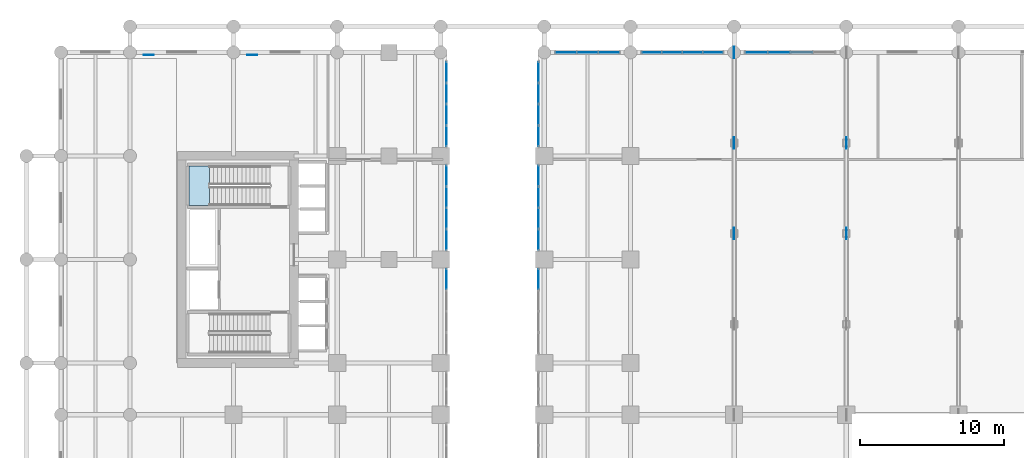
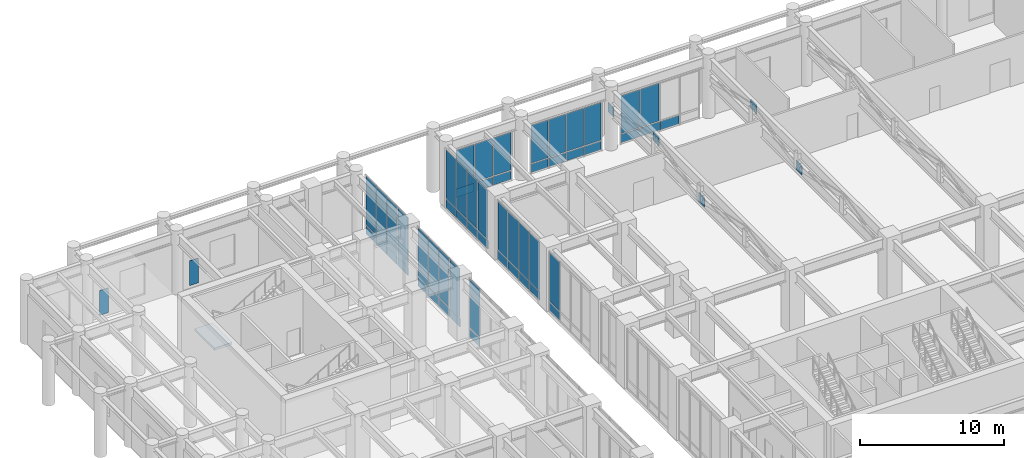
# One storey, part 14 of 24: 62 plates, 1 slab, 10 elements without a shape of their own.
"""IFC4 building model written with IfcOpenShell, lengths in metres."""

from ifc_helpers import new_model, si_unit, derived_unit, direction, frame, origin, origin_2d, place, context, subcontext, project, spatial, polyline, rectangle, outline, extrude, source, transform, mapped, material, layer, layer_set, type_object, type_shapes, element, aggregate, save


model = new_model("IFC4")

# Units and contexts
model_context = context("Model", 3, precision=1e-05, world=origin(), true_north=direction((0.0, 1.0)))
body_context = subcontext(model_context, "Body", "Model", "MODEL_VIEW")
ifc_project = project(units=[si_unit("LENGTHUNIT", "METRE"), si_unit("AREAUNIT", "SQUARE_METRE"), si_unit("VOLUMEUNIT", "CUBIC_METRE"), si_unit("PLANEANGLEUNIT", "RADIAN"), si_unit("MASSUNIT", "GRAM", prefix="KILO"), si_unit("THERMODYNAMICTEMPERATUREUNIT", "KELVIN"), si_unit("POWERUNIT", "WATT"), derived_unit("THERMALTRANSMITTANCEUNIT", [(si_unit("POWERUNIT", "WATT"), 1), (si_unit("AREAUNIT", "SQUARE_METRE"), -1), (si_unit("THERMODYNAMICTEMPERATUREUNIT", "KELVIN"), -1)])], contexts=[model_context])

# Site, building, storey
site_placement = place(None, origin())
site = spatial("IfcSite", under=ifc_project, at=site_placement, CompositionType="ELEMENT")
building_placement = place(site_placement, origin())
building = spatial("IfcBuilding", under=site, at=building_placement, Name="Zahravan Archway Hotel and Residences", CompositionType="ELEMENT")
storey_placement = place(building_placement, frame((0.0, 0.0, 10.800048828125)))
storey = spatial("IfcBuildingStorey", under=building, at=storey_placement, Name="L02", CompositionType="ELEMENT", Elevation=10.800048828125)

# Stair, slab
ifc_material_1 = material(Name="Concrete C50/60", Category="concrete")
stair_type = type_object("IfcStairType", Name="STR-CORE-1300", PredefinedType="HALF_TURN_STAIR", material=ifc_material_1)
stair_placement = place(storey_placement, origin())
stair = element("IfcStair", 1, at=stair_placement, inside=storey, type_object=stair_type, Name="L02 Core B Exit Stair 2", PredefinedType="HALF_TURN_STAIR")
ifc_layer_1 = layer(ifc_material_1, 0.199951171875, Name="Concrete C50/60", Category="concrete")
ifc_layer_set_1 = layer_set([ifc_layer_1], Name="Concrete C50/60")
slab_type = type_object("IfcSlabType", Name="SLB-LND-200", PredefinedType="LANDING", material=ifc_layer_set_1)
slab_placement = place(storey_placement, frame((0.0, 0.0, 2.5)))
slab = element("IfcSlab", 2, at=slab_placement, type_object=slab_type, Name="ST-B2 landing 1", PredefinedType="LANDING", context=body_context, shape_type="SweptSolid", body=[
    extrude(outline(polyline([(5.530029296875, 38.89990234375), (4.10009765625, 38.89990234375), (4.10009765625, 36.159912109375), (5.530029296875, 36.159912109375), (5.530029296875, 38.89990234375)])), origin(), (0.0, 0.0, 1.0), 0.199951171875),
])
aggregate(stair, [slab])

# Plates
ifc_material_2 = material(Name="Structural Steel S355J2", Category="steel")
ifc_layer_2 = layer(ifc_material_2, 0.035888671875, Name="Structural Steel S355J2", Category="steel")
ifc_layer_set_2 = layer_set([ifc_layer_2], Name="Structural Steel S355J2")
plate_type_1 = type_object("IfcPlateType", Name="PLT-GUS-ON2", PredefinedType="USERDEFINED", material=ifc_layer_set_2)
shared_shape_1 = source(origin(), body_context, "Body", "SweptSolid", [
    extrude(rectangle(XDim=0.800048828125, YDim=0.035888671875, at=origin_2d()), origin(), (0.0, 0.0, 1.0), 0.800048828125),
])
type_shapes(plate_type_1, [shared_shape_1])
for number, where, z_axis, x_axis, name in (
    (3, (42.0, 34.199951171875, 2.7998046875), (0.0, 0.0, 1.0), (0.0, 1.0, 0.0), "L02 Transfer Truss Node Gusset ON2-1-3"),
    (4, (42.0, 40.5, 4.14990234375), (0.0, 0.0, 1.0), (0.0, 1.0, 0.0), "L02 Transfer Truss Node Gusset ON2-1-4"),
    (5, (42.0, 46.800048828125, 2.7998046875), (0.0, 0.0, 1.0), (0.0, 1.0, 0.0), "L02 Transfer Truss End Gusset ON2-1"),
    (6, (49.800048828125, 34.199951171875, 2.7998046875), (0.0, 0.0, 1.0), (0.0, 1.0, 0.0), "L02 Transfer Truss Node Gusset ON2-2-3"),
    (7, (49.800048828125, 40.5, 4.14990234375), (0.0, 0.0, 1.0), (0.0, 1.0, 0.0), "L02 Transfer Truss Node Gusset ON2-2-4"),
):
    element("IfcPlate", number, at=place(storey_placement, frame(where, z_axis=z_axis, x_axis=x_axis)), inside=storey, type_object=plate_type_1, Name=name, ObjectType="GUSSET", PredefinedType="USERDEFINED", context=body_context, shape_type="MappedRepresentation", body=[
        mapped(shared_shape_1, transform((0.0, 0.0, 0.0), scale=1.0)),
    ])

# Curtain wall, plates
ifc_material_3 = material(Name="Bronze-Anodized Unitised Aluminium & Low-E Glass", Category="aluminium")
ifc_layer_3 = layer(ifc_material_3, 0.179931640625, Name="Bronze-Anodized Unitised Aluminium & Low-E Glass", Category="aluminium")
ifc_layer_set_3 = layer_set([ifc_layer_3], Name="Bronze-Anodized Unitised Aluminium & Low-E Glass")
curtain_wall_type = type_object("IfcCurtainWallType", Name="CW-POD-ARCH", PredefinedType="NOTDEFINED", material=ifc_layer_set_3)
curtain_wall_1_placement = place(storey_placement, origin())
curtain_wall_1 = element("IfcCurtainWall", 8, at=curtain_wall_1_placement, inside=storey, type_object=curtain_wall_type, Name="L02 Curtain Wall CW-POD-L02-1", PredefinedType="NOTDEFINED")
ifc_material_4 = material(Name="Insulated Terracotta Spandrel Panel", Category="masonry")
ifc_layer_4 = layer(ifc_material_4, 0.0400390625, Name="Insulated Terracotta Spandrel Panel", Category="masonry")
ifc_layer_set_4 = layer_set([ifc_layer_4], Name="Insulated Terracotta Spandrel Panel")
plate_type_2 = type_object("IfcPlateType", Name="CWP-SPN-40", PredefinedType="SHEET", material=ifc_layer_set_4)
shared_shape_2 = source(origin(), body_context, "Body", "SweptSolid", [
    extrude(rectangle(XDim=1.413330078125, YDim=0.0400390625, at=origin_2d()), origin(), (0.0, 0.0, 1.0), 0.7099609375),
])
type_shapes(plate_type_2, [shared_shape_2])
plate_1_placement = place(storey_placement, frame((30.306640625, 46.800048828125, 0.099853515625), z_axis=(0.0, 0.0, 1.0), x_axis=(1.0, 0.0, 0.0)))
plate_1 = element("IfcPlate", 9, at=plate_1_placement, type_object=plate_type_2, Name="CW-POD-L02-1 Spandrel Panel 0", PredefinedType="SHEET", context=body_context, shape_type="MappedRepresentation", body=[
    mapped(shared_shape_2, transform((0.0, 0.0, 0.0), scale=1.0)),
])
plate_2_placement = place(storey_placement, frame((31.800048828125, 46.800048828125, 0.099853515625), z_axis=(0.0, 0.0, 1.0), x_axis=(1.0, 0.0, 0.0)))
plate_2 = element("IfcPlate", 10, at=plate_2_placement, type_object=plate_type_2, Name="CW-POD-L02-1 Spandrel Panel 1", PredefinedType="SHEET", context=body_context, shape_type="MappedRepresentation", body=[
    mapped(shared_shape_2, transform((0.0, 0.0, 0.0), scale=1.0)),
])
plate_3_placement = place(storey_placement, frame((33.29345703125, 46.800048828125, 0.099853515625), z_axis=(0.0, 0.0, 1.0), x_axis=(1.0, 0.0, 0.0)))
plate_3 = element("IfcPlate", 11, at=plate_3_placement, type_object=plate_type_2, Name="CW-POD-L02-1 Spandrel Panel 2", PredefinedType="SHEET", context=body_context, shape_type="MappedRepresentation", body=[
    mapped(shared_shape_2, transform((0.0, 0.0, 0.0), scale=1.0)),
])

curtain_wall_2_placement = place(storey_placement, origin())
curtain_wall_2 = element("IfcCurtainWall", 12, at=curtain_wall_2_placement, inside=storey, type_object=curtain_wall_type, Name="L02 Curtain Wall CW-POD-L02-2", PredefinedType="NOTDEFINED")
shared_shape_3 = source(origin(), body_context, "Body", "SweptSolid", [
    extrude(rectangle(XDim=1.340087890625, YDim=0.0400390625, at=origin_2d()), origin(), (0.0, 0.0, 1.0), 0.7099609375),
])
plate_4_placement = place(storey_placement, frame((36.27001953125, 46.800048828125, 0.099853515625), z_axis=(0.0, 0.0, 1.0), x_axis=(1.0, 0.0, 0.0)))
plate_4 = element("IfcPlate", 13, at=plate_4_placement, type_object=plate_type_2, Name="CW-POD-L02-2 Spandrel Panel 0", PredefinedType="SHEET", context=body_context, shape_type="MappedRepresentation", body=[
    mapped(shared_shape_3, transform((0.0, 0.0, 0.0), scale=1.0)),
])
plate_5_placement = place(storey_placement, frame((37.68994140625, 46.800048828125, 0.099853515625), z_axis=(0.0, 0.0, 1.0), x_axis=(1.0, 0.0, 0.0)))
plate_5 = element("IfcPlate", 14, at=plate_5_placement, type_object=plate_type_2, Name="CW-POD-L02-2 Spandrel Panel 1", PredefinedType="SHEET", context=body_context, shape_type="MappedRepresentation", body=[
    mapped(shared_shape_3, transform((0.0, 0.0, 0.0), scale=1.0)),
])
plate_6_placement = place(storey_placement, frame((39.110107421875, 46.800048828125, 0.099853515625), z_axis=(0.0, 0.0, 1.0), x_axis=(1.0, 0.0, 0.0)))
plate_6 = element("IfcPlate", 15, at=plate_6_placement, type_object=plate_type_2, Name="CW-POD-L02-2 Spandrel Panel 2", PredefinedType="SHEET", context=body_context, shape_type="MappedRepresentation", body=[
    mapped(shared_shape_3, transform((0.0, 0.0, 0.0), scale=1.0)),
])
plate_7_placement = place(storey_placement, frame((40.530029296875, 46.800048828125, 0.099853515625), z_axis=(0.0, 0.0, 1.0), x_axis=(1.0, 0.0, 0.0)))
plate_7 = element("IfcPlate", 16, at=plate_7_placement, type_object=plate_type_2, Name="CW-POD-L02-2 Spandrel Panel 3", PredefinedType="SHEET", context=body_context, shape_type="MappedRepresentation", body=[
    mapped(shared_shape_3, transform((0.0, 0.0, 0.0), scale=1.0)),
])

curtain_wall_3_placement = place(storey_placement, origin())
curtain_wall_3 = element("IfcCurtainWall", 17, at=curtain_wall_3_placement, inside=storey, type_object=curtain_wall_type, Name="L02 Curtain Wall CW-POD-L02-3", PredefinedType="NOTDEFINED")
shared_shape_4 = source(origin(), body_context, "Body", "SweptSolid", [
    extrude(rectangle(XDim=1.489990234375, YDim=0.0400390625, at=origin_2d()), origin(), (0.0, 0.0, 1.0), 0.7099609375),
])
plate_8_placement = place(storey_placement, frame((43.544921875, 46.800048828125, 0.099853515625), z_axis=(0.0, 0.0, 1.0), x_axis=(1.0, 0.0, 0.0)))
plate_8 = element("IfcPlate", 18, at=plate_8_placement, type_object=plate_type_2, Name="CW-POD-L02-3 Spandrel Panel 0", PredefinedType="SHEET", context=body_context, shape_type="MappedRepresentation", body=[
    mapped(shared_shape_4, transform((0.0, 0.0, 0.0), scale=1.0)),
])
plate_9_placement = place(storey_placement, frame((45.114990234375, 46.800048828125, 0.099853515625), z_axis=(0.0, 0.0, 1.0), x_axis=(1.0, 0.0, 0.0)))
plate_9 = element("IfcPlate", 19, at=plate_9_placement, type_object=plate_type_2, Name="CW-POD-L02-3 Spandrel Panel 1", PredefinedType="SHEET", context=body_context, shape_type="MappedRepresentation", body=[
    mapped(shared_shape_4, transform((0.0, 0.0, 0.0), scale=1.0)),
])
plate_10_placement = place(storey_placement, frame((46.68505859375, 46.800048828125, 0.099853515625), z_axis=(0.0, 0.0, 1.0), x_axis=(1.0, 0.0, 0.0)))
plate_10 = element("IfcPlate", 20, at=plate_10_placement, type_object=plate_type_2, Name="CW-POD-L02-3 Spandrel Panel 2", PredefinedType="SHEET", context=body_context, shape_type="MappedRepresentation", body=[
    mapped(shared_shape_4, transform((0.0, 0.0, 0.0), scale=1.0)),
])

# Curtain wall, plate
curtain_wall_4_placement = place(storey_placement, origin())
curtain_wall_4 = element("IfcCurtainWall", 21, at=curtain_wall_4_placement, inside=storey, type_object=curtain_wall_type, Name="L02 Curtain Wall CW-PORTW-L02-5", PredefinedType="NOTDEFINED")
shared_shape_5 = source(origin(), body_context, "Body", "SweptSolid", [
    extrude(rectangle(XDim=1.3974609375, YDim=0.0400390625, at=origin_2d()), origin(), (0.0, 0.0, 1.0), 0.7099609375),
])
plate_11_placement = place(storey_placement, frame((22.0, 31.01611328125, 0.099853515625), z_axis=(0.0, 0.0, 1.0), x_axis=(0.0, 1.0, 0.0)))
plate_11 = element("IfcPlate", 22, at=plate_11_placement, type_object=plate_type_2, Name="CW-PORTW-L02-5 Spandrel Panel 3", PredefinedType="SHEET", context=body_context, shape_type="MappedRepresentation", body=[
    mapped(shared_shape_5, transform((0.0, 0.0, 0.0), scale=1.0)),
])

# Curtain wall, plates
curtain_wall_5_placement = place(storey_placement, origin())
curtain_wall_5 = element("IfcCurtainWall", 23, at=curtain_wall_5_placement, inside=storey, type_object=curtain_wall_type, Name="L02 Curtain Wall CW-PORTW-L02-6", PredefinedType="NOTDEFINED")
plate_12_placement = place(storey_placement, frame((22.0, 33.783935546875, 0.099853515625), z_axis=(0.0, 0.0, 1.0), x_axis=(0.0, 1.0, 0.0)))
plate_12 = element("IfcPlate", 24, at=plate_12_placement, type_object=plate_type_2, Name="CW-PORTW-L02-6 Spandrel Panel 0", PredefinedType="SHEET", context=body_context, shape_type="MappedRepresentation", body=[
    mapped(shared_shape_5, transform((0.0, 0.0, 0.0), scale=1.0)),
])
plate_13_placement = place(storey_placement, frame((22.0, 35.26123046875, 0.099853515625), z_axis=(0.0, 0.0, 1.0), x_axis=(0.0, 1.0, 0.0)))
plate_13 = element("IfcPlate", 25, at=plate_13_placement, type_object=plate_type_2, Name="CW-PORTW-L02-6 Spandrel Panel 1", PredefinedType="SHEET", context=body_context, shape_type="MappedRepresentation", body=[
    mapped(shared_shape_5, transform((0.0, 0.0, 0.0), scale=1.0)),
])
plate_14_placement = place(storey_placement, frame((22.0, 36.73876953125, 0.099853515625), z_axis=(0.0, 0.0, 1.0), x_axis=(0.0, 1.0, 0.0)))
plate_14 = element("IfcPlate", 26, at=plate_14_placement, type_object=plate_type_2, Name="CW-PORTW-L02-6 Spandrel Panel 2", PredefinedType="SHEET", context=body_context, shape_type="MappedRepresentation", body=[
    mapped(shared_shape_5, transform((0.0, 0.0, 0.0), scale=1.0)),
])
plate_15_placement = place(storey_placement, frame((22.0, 38.216064453125, 0.099853515625), z_axis=(0.0, 0.0, 1.0), x_axis=(0.0, 1.0, 0.0)))
plate_15 = element("IfcPlate", 27, at=plate_15_placement, type_object=plate_type_2, Name="CW-PORTW-L02-6 Spandrel Panel 3", PredefinedType="SHEET", context=body_context, shape_type="MappedRepresentation", body=[
    mapped(shared_shape_5, transform((0.0, 0.0, 0.0), scale=1.0)),
])

curtain_wall_6_placement = place(storey_placement, origin())
curtain_wall_6 = element("IfcCurtainWall", 28, at=curtain_wall_6_placement, inside=storey, type_object=curtain_wall_type, Name="L02 Curtain Wall CW-PORTW-L02-7", PredefinedType="NOTDEFINED")
plate_16_placement = place(storey_placement, frame((22.0, 40.98388671875, 0.099853515625), z_axis=(0.0, 0.0, 1.0), x_axis=(0.0, 1.0, 0.0)))
plate_16 = element("IfcPlate", 29, at=plate_16_placement, type_object=plate_type_2, Name="CW-PORTW-L02-7 Spandrel Panel 0", PredefinedType="SHEET", context=body_context, shape_type="MappedRepresentation", body=[
    mapped(shared_shape_5, transform((0.0, 0.0, 0.0), scale=1.0)),
])
plate_17_placement = place(storey_placement, frame((22.0, 42.461181640625, 0.099853515625), z_axis=(0.0, 0.0, 1.0), x_axis=(0.0, 1.0, 0.0)))
plate_17 = element("IfcPlate", 30, at=plate_17_placement, type_object=plate_type_2, Name="CW-PORTW-L02-7 Spandrel Panel 1", PredefinedType="SHEET", context=body_context, shape_type="MappedRepresentation", body=[
    mapped(shared_shape_5, transform((0.0, 0.0, 0.0), scale=1.0)),
])
plate_18_placement = place(storey_placement, frame((22.0, 43.938720703125, 0.099853515625), z_axis=(0.0, 0.0, 1.0), x_axis=(0.0, 1.0, 0.0)))
plate_18 = element("IfcPlate", 31, at=plate_18_placement, type_object=plate_type_2, Name="CW-PORTW-L02-7 Spandrel Panel 2", PredefinedType="SHEET", context=body_context, shape_type="MappedRepresentation", body=[
    mapped(shared_shape_5, transform((0.0, 0.0, 0.0), scale=1.0)),
])
plate_19_placement = place(storey_placement, frame((22.0, 45.416015625, 0.099853515625), z_axis=(0.0, 0.0, 1.0), x_axis=(0.0, 1.0, 0.0)))
plate_19 = element("IfcPlate", 32, at=plate_19_placement, type_object=plate_type_2, Name="CW-PORTW-L02-7 Spandrel Panel 3", PredefinedType="SHEET", context=body_context, shape_type="MappedRepresentation", body=[
    mapped(shared_shape_5, transform((0.0, 0.0, 0.0), scale=1.0)),
])

# Curtain wall, plate
curtain_wall_7_placement = place(storey_placement, origin())
curtain_wall_7 = element("IfcCurtainWall", 33, at=curtain_wall_7_placement, inside=storey, type_object=curtain_wall_type, Name="L02 Curtain Wall CW-PORTE-L02-5", PredefinedType="NOTDEFINED")
plate_20_placement = place(storey_placement, frame((28.39990234375, 31.01611328125, 0.099853515625), z_axis=(0.0, 0.0, 1.0), x_axis=(0.0, 1.0, 0.0)))
plate_20 = element("IfcPlate", 34, at=plate_20_placement, type_object=plate_type_2, Name="CW-PORTE-L02-5 Spandrel Panel 3", PredefinedType="SHEET", context=body_context, shape_type="MappedRepresentation", body=[
    mapped(shared_shape_5, transform((0.0, 0.0, 0.0), scale=1.0)),
])

# Curtain wall, plates
curtain_wall_8_placement = place(storey_placement, origin())
curtain_wall_8 = element("IfcCurtainWall", 35, at=curtain_wall_8_placement, inside=storey, type_object=curtain_wall_type, Name="L02 Curtain Wall CW-PORTE-L02-6", PredefinedType="NOTDEFINED")
plate_21_placement = place(storey_placement, frame((28.39990234375, 33.783935546875, 0.099853515625), z_axis=(0.0, 0.0, 1.0), x_axis=(0.0, 1.0, 0.0)))
plate_21 = element("IfcPlate", 36, at=plate_21_placement, type_object=plate_type_2, Name="CW-PORTE-L02-6 Spandrel Panel 0", PredefinedType="SHEET", context=body_context, shape_type="MappedRepresentation", body=[
    mapped(shared_shape_5, transform((0.0, 0.0, 0.0), scale=1.0)),
])
plate_22_placement = place(storey_placement, frame((28.39990234375, 35.26123046875, 0.099853515625), z_axis=(0.0, 0.0, 1.0), x_axis=(0.0, 1.0, 0.0)))
plate_22 = element("IfcPlate", 37, at=plate_22_placement, type_object=plate_type_2, Name="CW-PORTE-L02-6 Spandrel Panel 1", PredefinedType="SHEET", context=body_context, shape_type="MappedRepresentation", body=[
    mapped(shared_shape_5, transform((0.0, 0.0, 0.0), scale=1.0)),
])
plate_23_placement = place(storey_placement, frame((28.39990234375, 36.73876953125, 0.099853515625), z_axis=(0.0, 0.0, 1.0), x_axis=(0.0, 1.0, 0.0)))
plate_23 = element("IfcPlate", 38, at=plate_23_placement, type_object=plate_type_2, Name="CW-PORTE-L02-6 Spandrel Panel 2", PredefinedType="SHEET", context=body_context, shape_type="MappedRepresentation", body=[
    mapped(shared_shape_5, transform((0.0, 0.0, 0.0), scale=1.0)),
])
plate_24_placement = place(storey_placement, frame((28.39990234375, 38.216064453125, 0.099853515625), z_axis=(0.0, 0.0, 1.0), x_axis=(0.0, 1.0, 0.0)))
plate_24 = element("IfcPlate", 39, at=plate_24_placement, type_object=plate_type_2, Name="CW-PORTE-L02-6 Spandrel Panel 3", PredefinedType="SHEET", context=body_context, shape_type="MappedRepresentation", body=[
    mapped(shared_shape_5, transform((0.0, 0.0, 0.0), scale=1.0)),
])

curtain_wall_9_placement = place(storey_placement, origin())
curtain_wall_9 = element("IfcCurtainWall", 40, at=curtain_wall_9_placement, inside=storey, type_object=curtain_wall_type, Name="L02 Curtain Wall CW-PORTE-L02-7", PredefinedType="NOTDEFINED")
plate_25_placement = place(storey_placement, frame((28.39990234375, 40.98388671875, 0.099853515625), z_axis=(0.0, 0.0, 1.0), x_axis=(0.0, 1.0, 0.0)))
plate_25 = element("IfcPlate", 41, at=plate_25_placement, type_object=plate_type_2, Name="CW-PORTE-L02-7 Spandrel Panel 0", PredefinedType="SHEET", context=body_context, shape_type="MappedRepresentation", body=[
    mapped(shared_shape_5, transform((0.0, 0.0, 0.0), scale=1.0)),
])
plate_26_placement = place(storey_placement, frame((28.39990234375, 42.461181640625, 0.099853515625), z_axis=(0.0, 0.0, 1.0), x_axis=(0.0, 1.0, 0.0)))
plate_26 = element("IfcPlate", 42, at=plate_26_placement, type_object=plate_type_2, Name="CW-PORTE-L02-7 Spandrel Panel 1", PredefinedType="SHEET", context=body_context, shape_type="MappedRepresentation", body=[
    mapped(shared_shape_5, transform((0.0, 0.0, 0.0), scale=1.0)),
])
plate_27_placement = place(storey_placement, frame((28.39990234375, 43.938720703125, 0.099853515625), z_axis=(0.0, 0.0, 1.0), x_axis=(0.0, 1.0, 0.0)))
plate_27 = element("IfcPlate", 43, at=plate_27_placement, type_object=plate_type_2, Name="CW-PORTE-L02-7 Spandrel Panel 2", PredefinedType="SHEET", context=body_context, shape_type="MappedRepresentation", body=[
    mapped(shared_shape_5, transform((0.0, 0.0, 0.0), scale=1.0)),
])
plate_28_placement = place(storey_placement, frame((28.39990234375, 45.416015625, 0.099853515625), z_axis=(0.0, 0.0, 1.0), x_axis=(0.0, 1.0, 0.0)))
plate_28 = element("IfcPlate", 44, at=plate_28_placement, type_object=plate_type_2, Name="CW-PORTE-L02-7 Spandrel Panel 3", PredefinedType="SHEET", context=body_context, shape_type="MappedRepresentation", body=[
    mapped(shared_shape_5, transform((0.0, 0.0, 0.0), scale=1.0)),
])

# Plate
ifc_material_5 = material(Name="Double-Silver Low-E Insulated Vision Glass", Category="glass")
ifc_layer_5 = layer(ifc_material_5, 0.028076171875, Name="Double-Silver Low-E Insulated Vision Glass", Category="glass")
ifc_layer_set_5 = layer_set([ifc_layer_5], Name="Double-Silver Low-E Insulated Vision Glass")
plate_type_3 = type_object("IfcPlateType", Name="CWP-GLZ-28", PredefinedType="CURTAIN_PANEL", material=ifc_layer_set_5)
shared_shape_6 = source(origin(), body_context, "Body", "SweptSolid", [
    extrude(rectangle(XDim=1.3974609375, YDim=0.028076171875, at=origin_2d()), origin(), (0.0, 0.0, 1.0), 4.110107421875),
])
plate_29_placement = place(storey_placement, frame((22.0, 31.01611328125, 0.89013671875), z_axis=(0.0, 0.0, 1.0), x_axis=(0.0, 1.0, 0.0)))
plate_29 = element("IfcPlate", 45, at=plate_29_placement, type_object=plate_type_3, Name="CW-PORTW-L02-5 Low-E Vision Panel 3", PredefinedType="CURTAIN_PANEL", context=body_context, shape_type="MappedRepresentation", body=[
    mapped(shared_shape_6, transform((0.0, 0.0, 0.0), scale=1.0)),
])

aggregate(curtain_wall_4, [plate_11, plate_29])

plate_30_placement = place(storey_placement, frame((22.0, 33.783935546875, 0.89013671875), z_axis=(0.0, 0.0, 1.0), x_axis=(0.0, 1.0, 0.0)))
plate_30 = element("IfcPlate", 46, at=plate_30_placement, type_object=plate_type_3, Name="CW-PORTW-L02-6 Low-E Vision Panel 0", PredefinedType="CURTAIN_PANEL", context=body_context, shape_type="MappedRepresentation", body=[
    mapped(shared_shape_6, transform((0.0, 0.0, 0.0), scale=1.0)),
])

plate_31_placement = place(storey_placement, frame((22.0, 35.26123046875, 0.89013671875), z_axis=(0.0, 0.0, 1.0), x_axis=(0.0, 1.0, 0.0)))
plate_31 = element("IfcPlate", 47, at=plate_31_placement, type_object=plate_type_3, Name="CW-PORTW-L02-6 Low-E Vision Panel 1", PredefinedType="CURTAIN_PANEL", context=body_context, shape_type="MappedRepresentation", body=[
    mapped(shared_shape_6, transform((0.0, 0.0, 0.0), scale=1.0)),
])

plate_32_placement = place(storey_placement, frame((22.0, 36.73876953125, 0.89013671875), z_axis=(0.0, 0.0, 1.0), x_axis=(0.0, 1.0, 0.0)))
plate_32 = element("IfcPlate", 48, at=plate_32_placement, type_object=plate_type_3, Name="CW-PORTW-L02-6 Low-E Vision Panel 2", PredefinedType="CURTAIN_PANEL", context=body_context, shape_type="MappedRepresentation", body=[
    mapped(shared_shape_6, transform((0.0, 0.0, 0.0), scale=1.0)),
])

plate_33_placement = place(storey_placement, frame((22.0, 38.216064453125, 0.89013671875), z_axis=(0.0, 0.0, 1.0), x_axis=(0.0, 1.0, 0.0)))
plate_33 = element("IfcPlate", 49, at=plate_33_placement, type_object=plate_type_3, Name="CW-PORTW-L02-6 Low-E Vision Panel 3", PredefinedType="CURTAIN_PANEL", context=body_context, shape_type="MappedRepresentation", body=[
    mapped(shared_shape_6, transform((0.0, 0.0, 0.0), scale=1.0)),
])

aggregate(curtain_wall_5, [plate_12, plate_30, plate_13, plate_31, plate_14, plate_32, plate_15, plate_33])

plate_34_placement = place(storey_placement, frame((22.0, 40.98388671875, 0.89013671875), z_axis=(0.0, 0.0, 1.0), x_axis=(0.0, 1.0, 0.0)))
plate_34 = element("IfcPlate", 50, at=plate_34_placement, type_object=plate_type_3, Name="CW-PORTW-L02-7 Low-E Vision Panel 0", PredefinedType="CURTAIN_PANEL", context=body_context, shape_type="MappedRepresentation", body=[
    mapped(shared_shape_6, transform((0.0, 0.0, 0.0), scale=1.0)),
])

plate_35_placement = place(storey_placement, frame((22.0, 42.461181640625, 0.89013671875), z_axis=(0.0, 0.0, 1.0), x_axis=(0.0, 1.0, 0.0)))
plate_35 = element("IfcPlate", 51, at=plate_35_placement, type_object=plate_type_3, Name="CW-PORTW-L02-7 Low-E Vision Panel 1", PredefinedType="CURTAIN_PANEL", context=body_context, shape_type="MappedRepresentation", body=[
    mapped(shared_shape_6, transform((0.0, 0.0, 0.0), scale=1.0)),
])

plate_36_placement = place(storey_placement, frame((22.0, 43.938720703125, 0.89013671875), z_axis=(0.0, 0.0, 1.0), x_axis=(0.0, 1.0, 0.0)))
plate_36 = element("IfcPlate", 52, at=plate_36_placement, type_object=plate_type_3, Name="CW-PORTW-L02-7 Low-E Vision Panel 2", PredefinedType="CURTAIN_PANEL", context=body_context, shape_type="MappedRepresentation", body=[
    mapped(shared_shape_6, transform((0.0, 0.0, 0.0), scale=1.0)),
])

plate_37_placement = place(storey_placement, frame((22.0, 45.416015625, 0.89013671875), z_axis=(0.0, 0.0, 1.0), x_axis=(0.0, 1.0, 0.0)))
plate_37 = element("IfcPlate", 53, at=plate_37_placement, type_object=plate_type_3, Name="CW-PORTW-L02-7 Low-E Vision Panel 3", PredefinedType="CURTAIN_PANEL", context=body_context, shape_type="MappedRepresentation", body=[
    mapped(shared_shape_6, transform((0.0, 0.0, 0.0), scale=1.0)),
])

aggregate(curtain_wall_6, [plate_16, plate_34, plate_17, plate_35, plate_18, plate_36, plate_19, plate_37])

plate_38_placement = place(storey_placement, frame((28.39990234375, 31.01611328125, 0.89013671875), z_axis=(0.0, 0.0, 1.0), x_axis=(0.0, 1.0, 0.0)))
plate_38 = element("IfcPlate", 54, at=plate_38_placement, type_object=plate_type_3, Name="CW-PORTE-L02-5 Low-E Vision Panel 3", PredefinedType="CURTAIN_PANEL", context=body_context, shape_type="MappedRepresentation", body=[
    mapped(shared_shape_6, transform((0.0, 0.0, 0.0), scale=1.0)),
])

aggregate(curtain_wall_7, [plate_20, plate_38])

plate_39_placement = place(storey_placement, frame((28.39990234375, 33.783935546875, 0.89013671875), z_axis=(0.0, 0.0, 1.0), x_axis=(0.0, 1.0, 0.0)))
plate_39 = element("IfcPlate", 55, at=plate_39_placement, type_object=plate_type_3, Name="CW-PORTE-L02-6 Low-E Vision Panel 0", PredefinedType="CURTAIN_PANEL", context=body_context, shape_type="MappedRepresentation", body=[
    mapped(shared_shape_6, transform((0.0, 0.0, 0.0), scale=1.0)),
])

plate_40_placement = place(storey_placement, frame((28.39990234375, 35.26123046875, 0.89013671875), z_axis=(0.0, 0.0, 1.0), x_axis=(0.0, 1.0, 0.0)))
plate_40 = element("IfcPlate", 56, at=plate_40_placement, type_object=plate_type_3, Name="CW-PORTE-L02-6 Low-E Vision Panel 1", PredefinedType="CURTAIN_PANEL", context=body_context, shape_type="MappedRepresentation", body=[
    mapped(shared_shape_6, transform((0.0, 0.0, 0.0), scale=1.0)),
])

plate_41_placement = place(storey_placement, frame((28.39990234375, 36.73876953125, 0.89013671875), z_axis=(0.0, 0.0, 1.0), x_axis=(0.0, 1.0, 0.0)))
plate_41 = element("IfcPlate", 57, at=plate_41_placement, type_object=plate_type_3, Name="CW-PORTE-L02-6 Low-E Vision Panel 2", PredefinedType="CURTAIN_PANEL", context=body_context, shape_type="MappedRepresentation", body=[
    mapped(shared_shape_6, transform((0.0, 0.0, 0.0), scale=1.0)),
])

plate_42_placement = place(storey_placement, frame((28.39990234375, 38.216064453125, 0.89013671875), z_axis=(0.0, 0.0, 1.0), x_axis=(0.0, 1.0, 0.0)))
plate_42 = element("IfcPlate", 58, at=plate_42_placement, type_object=plate_type_3, Name="CW-PORTE-L02-6 Low-E Vision Panel 3", PredefinedType="CURTAIN_PANEL", context=body_context, shape_type="MappedRepresentation", body=[
    mapped(shared_shape_6, transform((0.0, 0.0, 0.0), scale=1.0)),
])

aggregate(curtain_wall_8, [plate_21, plate_39, plate_22, plate_40, plate_23, plate_41, plate_24, plate_42])

plate_43_placement = place(storey_placement, frame((28.39990234375, 40.98388671875, 0.89013671875), z_axis=(0.0, 0.0, 1.0), x_axis=(0.0, 1.0, 0.0)))
plate_43 = element("IfcPlate", 59, at=plate_43_placement, type_object=plate_type_3, Name="CW-PORTE-L02-7 Low-E Vision Panel 0", PredefinedType="CURTAIN_PANEL", context=body_context, shape_type="MappedRepresentation", body=[
    mapped(shared_shape_6, transform((0.0, 0.0, 0.0), scale=1.0)),
])

plate_44_placement = place(storey_placement, frame((28.39990234375, 42.461181640625, 0.89013671875), z_axis=(0.0, 0.0, 1.0), x_axis=(0.0, 1.0, 0.0)))
plate_44 = element("IfcPlate", 60, at=plate_44_placement, type_object=plate_type_3, Name="CW-PORTE-L02-7 Low-E Vision Panel 1", PredefinedType="CURTAIN_PANEL", context=body_context, shape_type="MappedRepresentation", body=[
    mapped(shared_shape_6, transform((0.0, 0.0, 0.0), scale=1.0)),
])

plate_45_placement = place(storey_placement, frame((28.39990234375, 43.938720703125, 0.89013671875), z_axis=(0.0, 0.0, 1.0), x_axis=(0.0, 1.0, 0.0)))
plate_45 = element("IfcPlate", 61, at=plate_45_placement, type_object=plate_type_3, Name="CW-PORTE-L02-7 Low-E Vision Panel 2", PredefinedType="CURTAIN_PANEL", context=body_context, shape_type="MappedRepresentation", body=[
    mapped(shared_shape_6, transform((0.0, 0.0, 0.0), scale=1.0)),
])

plate_46_placement = place(storey_placement, frame((28.39990234375, 45.416015625, 0.89013671875), z_axis=(0.0, 0.0, 1.0), x_axis=(0.0, 1.0, 0.0)))
plate_46 = element("IfcPlate", 62, at=plate_46_placement, type_object=plate_type_3, Name="CW-PORTE-L02-7 Low-E Vision Panel 3", PredefinedType="CURTAIN_PANEL", context=body_context, shape_type="MappedRepresentation", body=[
    mapped(shared_shape_6, transform((0.0, 0.0, 0.0), scale=1.0)),
])

aggregate(curtain_wall_9, [plate_25, plate_43, plate_26, plate_44, plate_27, plate_45, plate_28, plate_46])

shared_shape_7 = source(origin(), body_context, "Body", "SweptSolid", [
    extrude(rectangle(XDim=1.413330078125, YDim=0.028076171875, at=origin_2d()), origin(), (0.0, 0.0, 1.0), 3.195068359375),
])
plate_47_placement = place(storey_placement, frame((30.306640625, 46.800048828125, 0.89013671875), z_axis=(0.0, 0.0, 1.0), x_axis=(1.0, 0.0, 0.0)))
plate_47 = element("IfcPlate", 63, at=plate_47_placement, type_object=plate_type_3, Name="CW-POD-L02-1 Low-E Vision Panel 0", PredefinedType="CURTAIN_PANEL", context=body_context, shape_type="MappedRepresentation", body=[
    mapped(shared_shape_7, transform((0.0, 0.0, 0.0), scale=1.0)),
])

plate_48_placement = place(storey_placement, frame((31.800048828125, 46.800048828125, 0.89013671875), z_axis=(0.0, 0.0, 1.0), x_axis=(1.0, 0.0, 0.0)))
plate_48 = element("IfcPlate", 64, at=plate_48_placement, type_object=plate_type_3, Name="CW-POD-L02-1 Low-E Vision Panel 1", PredefinedType="CURTAIN_PANEL", context=body_context, shape_type="MappedRepresentation", body=[
    mapped(shared_shape_7, transform((0.0, 0.0, 0.0), scale=1.0)),
])

plate_49_placement = place(storey_placement, frame((33.29345703125, 46.800048828125, 0.89013671875), z_axis=(0.0, 0.0, 1.0), x_axis=(1.0, 0.0, 0.0)))
plate_49 = element("IfcPlate", 65, at=plate_49_placement, type_object=plate_type_3, Name="CW-POD-L02-1 Low-E Vision Panel 2", PredefinedType="CURTAIN_PANEL", context=body_context, shape_type="MappedRepresentation", body=[
    mapped(shared_shape_7, transform((0.0, 0.0, 0.0), scale=1.0)),
])

aggregate(curtain_wall_1, [plate_1, plate_47, plate_2, plate_48, plate_3, plate_49])

shared_shape_8 = source(origin(), body_context, "Body", "SweptSolid", [
    extrude(rectangle(XDim=1.340087890625, YDim=0.028076171875, at=origin_2d()), origin(), (0.0, 0.0, 1.0), 3.195068359375),
])
plate_50_placement = place(storey_placement, frame((36.27001953125, 46.800048828125, 0.89013671875), z_axis=(0.0, 0.0, 1.0), x_axis=(1.0, 0.0, 0.0)))
plate_50 = element("IfcPlate", 66, at=plate_50_placement, type_object=plate_type_3, Name="CW-POD-L02-2 Low-E Vision Panel 0", PredefinedType="CURTAIN_PANEL", context=body_context, shape_type="MappedRepresentation", body=[
    mapped(shared_shape_8, transform((0.0, 0.0, 0.0), scale=1.0)),
])

plate_51_placement = place(storey_placement, frame((37.68994140625, 46.800048828125, 0.89013671875), z_axis=(0.0, 0.0, 1.0), x_axis=(1.0, 0.0, 0.0)))
plate_51 = element("IfcPlate", 67, at=plate_51_placement, type_object=plate_type_3, Name="CW-POD-L02-2 Low-E Vision Panel 1", PredefinedType="CURTAIN_PANEL", context=body_context, shape_type="MappedRepresentation", body=[
    mapped(shared_shape_8, transform((0.0, 0.0, 0.0), scale=1.0)),
])

plate_52_placement = place(storey_placement, frame((39.110107421875, 46.800048828125, 0.89013671875), z_axis=(0.0, 0.0, 1.0), x_axis=(1.0, 0.0, 0.0)))
plate_52 = element("IfcPlate", 68, at=plate_52_placement, type_object=plate_type_3, Name="CW-POD-L02-2 Low-E Vision Panel 2", PredefinedType="CURTAIN_PANEL", context=body_context, shape_type="MappedRepresentation", body=[
    mapped(shared_shape_8, transform((0.0, 0.0, 0.0), scale=1.0)),
])

plate_53_placement = place(storey_placement, frame((40.530029296875, 46.800048828125, 0.89013671875), z_axis=(0.0, 0.0, 1.0), x_axis=(1.0, 0.0, 0.0)))
plate_53 = element("IfcPlate", 69, at=plate_53_placement, type_object=plate_type_3, Name="CW-POD-L02-2 Low-E Vision Panel 3", PredefinedType="CURTAIN_PANEL", context=body_context, shape_type="MappedRepresentation", body=[
    mapped(shared_shape_8, transform((0.0, 0.0, 0.0), scale=1.0)),
])

aggregate(curtain_wall_2, [plate_4, plate_50, plate_5, plate_51, plate_6, plate_52, plate_7, plate_53])

shared_shape_9 = source(origin(), body_context, "Body", "SweptSolid", [
    extrude(rectangle(XDim=1.489990234375, YDim=0.028076171875, at=origin_2d()), origin(), (0.0, 0.0, 1.0), 3.195068359375),
])
plate_54_placement = place(storey_placement, frame((43.544921875, 46.800048828125, 0.89013671875), z_axis=(0.0, 0.0, 1.0), x_axis=(1.0, 0.0, 0.0)))
plate_54 = element("IfcPlate", 70, at=plate_54_placement, type_object=plate_type_3, Name="CW-POD-L02-3 Low-E Vision Panel 0", PredefinedType="CURTAIN_PANEL", context=body_context, shape_type="MappedRepresentation", body=[
    mapped(shared_shape_9, transform((0.0, 0.0, 0.0), scale=1.0)),
])

plate_55_placement = place(storey_placement, frame((45.114990234375, 46.800048828125, 0.89013671875), z_axis=(0.0, 0.0, 1.0), x_axis=(1.0, 0.0, 0.0)))
plate_55 = element("IfcPlate", 71, at=plate_55_placement, type_object=plate_type_3, Name="CW-POD-L02-3 Low-E Vision Panel 1", PredefinedType="CURTAIN_PANEL", context=body_context, shape_type="MappedRepresentation", body=[
    mapped(shared_shape_9, transform((0.0, 0.0, 0.0), scale=1.0)),
])

aggregate(curtain_wall_3, [plate_8, plate_54, plate_9, plate_55, plate_10])

# Plates
ifc_material_6 = material(Name="Perforated Cast Bronze Jali Lattice")
ifc_layer_6 = layer(ifc_material_6, 0.044921875, Name="Perforated Cast Bronze Jali Lattice")
ifc_layer_set_6 = layer_set([ifc_layer_6], Name="Perforated Cast Bronze Jali Lattice")
plate_type_4 = type_object("IfcPlateType", Name="PLT-JALI-BAY", PredefinedType="USERDEFINED", material=ifc_layer_set_6)
shared_shape_10 = source(origin(), body_context, "Body", "SweptSolid", [
    extrude(rectangle(XDim=0.699951171875, YDim=0.044921875, at=origin_2d()), origin(), (0.0, 0.0, 1.0), 2.10009765625),
])
type_shapes(plate_type_4, [shared_shape_10])
for number, where, z_axis, x_axis, name in (
    (72, (1.300048828125, 46.6220703125, 0.25), (0.0, 0.0, 1.0), (1.0, 0.0, 0.0), "L02 Podium Mughal Jali Pier Screen 09"),
    (73, (8.5, 46.6220703125, 0.25), (0.0, 0.0, 1.0), (1.0, 0.0, 0.0), "L02 Podium Mughal Jali Pier Screen 10"),
):
    element("IfcPlate", number, at=place(storey_placement, frame(where, z_axis=z_axis, x_axis=x_axis)), inside=storey, type_object=plate_type_4, Name=name, ObjectType="SCREEN", PredefinedType="USERDEFINED", context=body_context, shape_type="MappedRepresentation", body=[
        mapped(shared_shape_10, transform((0.0, 0.0, 0.0), scale=1.0)),
    ])

save(model, "model.ifc")
